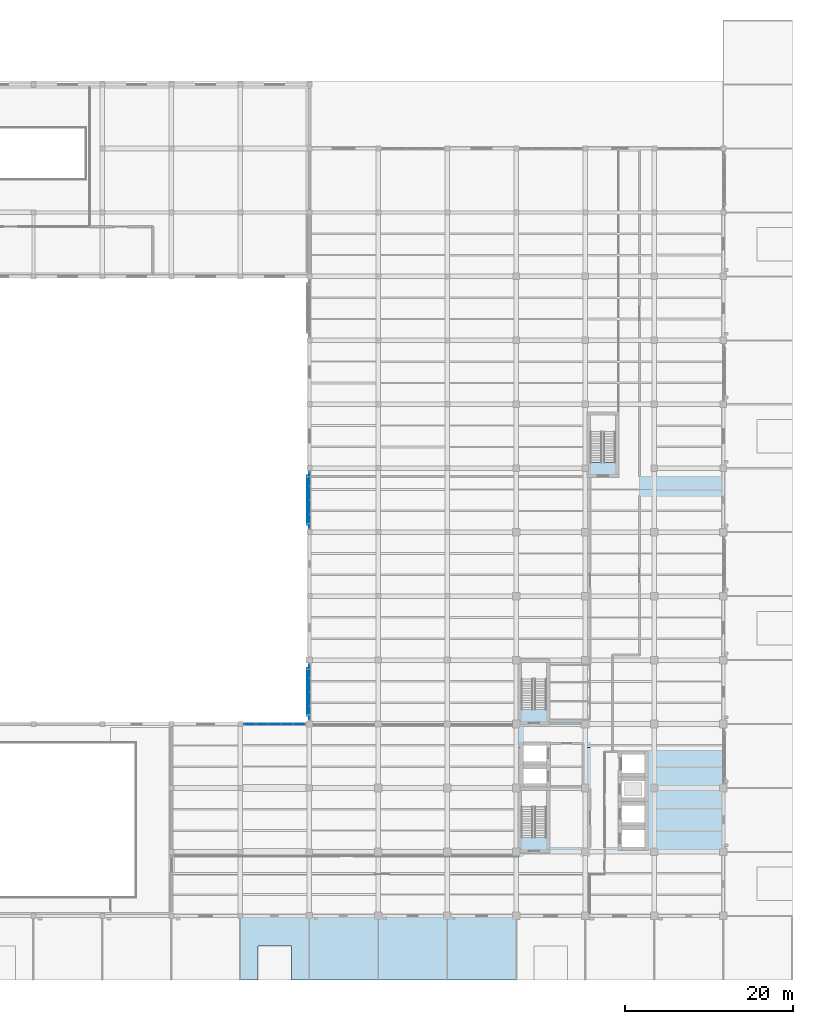
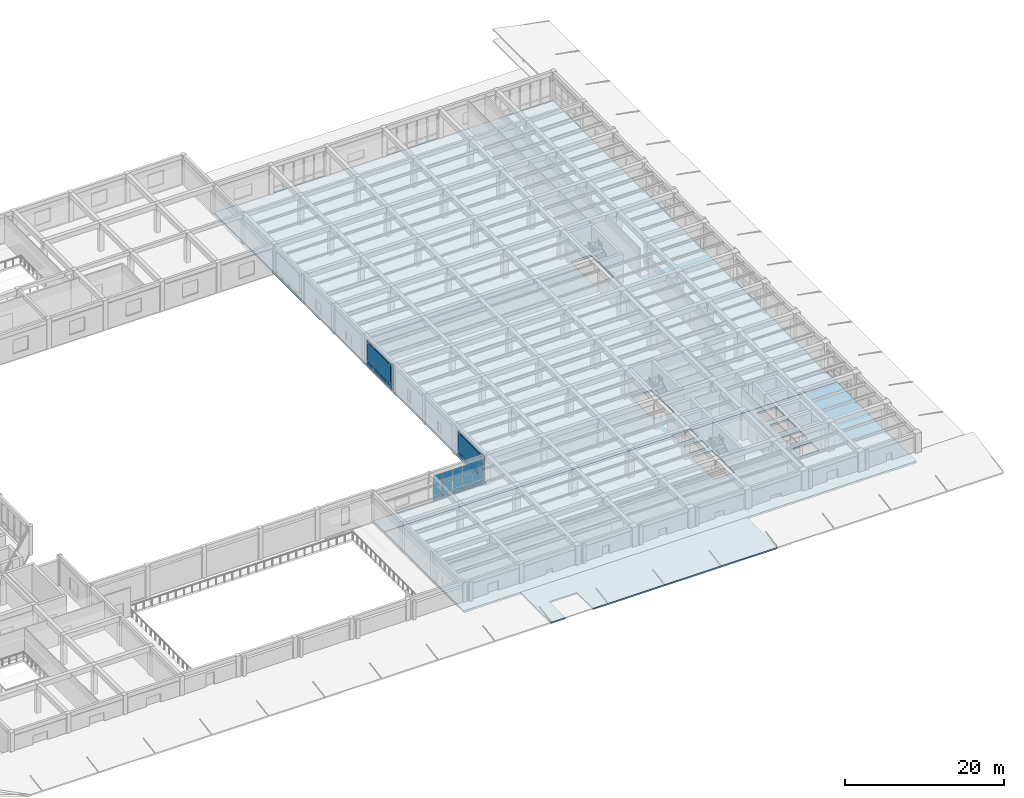
# One storey, part 30 of 57: 28 plates, 3 slabs, 3 elements without a shape of their own.
"""IFC4 building model written with IfcOpenShell, lengths in metres."""

from ifc_helpers import new_model, si_unit, direction, frame, origin, origin_2d, place, context, subcontext, project, spatial, polyline, rectangle, outline, extrude, material, layer, layer_set, type_object, element, aggregate, save


model = new_model("IFC4")

# Units and contexts
model_context = context("Model", 3, precision=1e-05, world=origin(), true_north=direction((0.0, 1.0)))
body_context = subcontext(model_context, "Body", "Model", "MODEL_VIEW")
ifc_project = project(units=[si_unit("LENGTHUNIT", "METRE"), si_unit("AREAUNIT", "SQUARE_METRE"), si_unit("VOLUMEUNIT", "CUBIC_METRE"), si_unit("PLANEANGLEUNIT", "RADIAN"), si_unit("MASSUNIT", "GRAM", prefix="KILO")], contexts=[model_context])

# Site, building, storey
site_placement = place(None, origin())
site = spatial("IfcSite", under=ifc_project, at=site_placement, CompositionType="ELEMENT")
building_placement = place(site_placement, origin())
building = spatial("IfcBuilding", under=site, at=building_placement, Name="Qandaris Square Conservatory and Botanical Centre", CompositionType="ELEMENT")
storey_placement = place(building_placement, frame((0.0, 0.0, 5.39990234375)))
storey = spatial("IfcBuildingStorey", under=building, at=storey_placement, Name="L01", CompositionType="ELEMENT", Elevation=5.39990234375)

# Curtain wall, plates
ifc_material_1 = material(Name="Anodised Aluminium", Category="aluminium")
curtain_wall_type_1 = type_object("IfcCurtainWallType", Name="Unitised Curtain Wall CW-4-680x392", PredefinedType="USERDEFINED", material=ifc_material_1)
curtain_wall_1_placement = place(storey_placement, origin())
curtain_wall_1 = element("IfcCurtainWall", 1, at=curtain_wall_1_placement, inside=storey, type_object=curtain_wall_type_1, Name="Curtain Wall CW-TWR-L01-4-6", ObjectType="GLAZED CURTAIN WALL", PredefinedType="USERDEFINED")
ifc_material_2 = material(Name="Tempered Low-E Glass", Category="glass")
ifc_layer_1 = layer(ifc_material_2, 0.035888671875)
ifc_layer_set_1 = layer_set([ifc_layer_1], Name="Tempered Low-E Glass")
plate_type_1 = type_object("IfcPlateType", Name="Double-Glazed Solar Control Vision Unit 36mm", PredefinedType="CURTAIN_PANEL", material=ifc_layer_set_1)
plate_1_placement = place(storey_placement, frame((114.60009765625, 68.53369140625, 0.065185546875), z_axis=(0.0, 0.0, 1.0), x_axis=(0.0, -1.0, 0.0)))
plate_1 = element("IfcPlate", 2, at=plate_1_placement, type_object=plate_type_1, Name="CW-4-680x392 panel 1.1", PredefinedType="CURTAIN_PANEL", context=body_context, shape_type="SweptSolid", body=[
    extrude(rectangle(XDim=1.6025390625, YDim=0.035888671875, at=origin_2d()), origin(), (0.0, 0.0, 1.0), 0.75244140625),
])
plate_2_placement = place(storey_placement, frame((114.60009765625, 68.53369140625, 0.8828125), z_axis=(0.0, 0.0, 1.0), x_axis=(0.0, -1.0, 0.0)))
plate_2 = element("IfcPlate", 3, at=plate_2_placement, type_object=plate_type_1, Name="CW-4-680x392 panel 1.2", PredefinedType="CURTAIN_PANEL", context=body_context, shape_type="SweptSolid", body=[
    extrude(rectangle(XDim=1.6025390625, YDim=0.035888671875, at=origin_2d()), origin(), (0.0, 0.0, 1.0), 2.972412109375),
])
plate_3_placement = place(storey_placement, frame((114.60009765625, 66.85009765625, 0.065185546875), z_axis=(0.0, 0.0, 1.0), x_axis=(0.0, -1.0, 0.0)))
plate_3 = element("IfcPlate", 4, at=plate_3_placement, type_object=plate_type_1, Name="CW-4-680x392 panel 2.1", PredefinedType="CURTAIN_PANEL", context=body_context, shape_type="SweptSolid", body=[
    extrude(rectangle(XDim=1.635009765625, YDim=0.035888671875, at=origin_2d()), origin(), (0.0, 0.0, 1.0), 0.75244140625),
])
plate_4_placement = place(storey_placement, frame((114.60009765625, 66.85009765625, 0.8828125), z_axis=(0.0, 0.0, 1.0), x_axis=(0.0, -1.0, 0.0)))
plate_4 = element("IfcPlate", 5, at=plate_4_placement, type_object=plate_type_1, Name="CW-4-680x392 panel 2.2", PredefinedType="CURTAIN_PANEL", context=body_context, shape_type="SweptSolid", body=[
    extrude(rectangle(XDim=1.635009765625, YDim=0.035888671875, at=origin_2d()), origin(), (0.0, 0.0, 1.0), 2.972412109375),
])
plate_5_placement = place(storey_placement, frame((114.60009765625, 65.14990234375, 0.065185546875), z_axis=(0.0, 0.0, 1.0), x_axis=(0.0, -1.0, 0.0)))
plate_5 = element("IfcPlate", 6, at=plate_5_placement, type_object=plate_type_1, Name="CW-4-680x392 panel 3.1", PredefinedType="CURTAIN_PANEL", context=body_context, shape_type="SweptSolid", body=[
    extrude(rectangle(XDim=1.635009765625, YDim=0.035888671875, at=origin_2d()), origin(), (0.0, 0.0, 1.0), 0.75244140625),
])
plate_6_placement = place(storey_placement, frame((114.60009765625, 65.14990234375, 0.8828125), z_axis=(0.0, 0.0, 1.0), x_axis=(0.0, -1.0, 0.0)))
plate_6 = element("IfcPlate", 7, at=plate_6_placement, type_object=plate_type_1, Name="CW-4-680x392 panel 3.2", PredefinedType="CURTAIN_PANEL", context=body_context, shape_type="SweptSolid", body=[
    extrude(rectangle(XDim=1.635009765625, YDim=0.035888671875, at=origin_2d()), origin(), (0.0, 0.0, 1.0), 2.972412109375),
])
plate_7_placement = place(storey_placement, frame((114.60009765625, 63.46630859375, 0.065185546875), z_axis=(0.0, 0.0, 1.0), x_axis=(0.0, -1.0, 0.0)))
plate_7 = element("IfcPlate", 8, at=plate_7_placement, type_object=plate_type_1, Name="CW-4-680x392 panel 4.1", PredefinedType="CURTAIN_PANEL", context=body_context, shape_type="SweptSolid", body=[
    extrude(rectangle(XDim=1.6025390625, YDim=0.035888671875, at=origin_2d()), origin(), (0.0, 0.0, 1.0), 0.75244140625),
])
plate_8_placement = place(storey_placement, frame((114.60009765625, 63.46630859375, 0.8828125), z_axis=(0.0, 0.0, 1.0), x_axis=(0.0, -1.0, 0.0)))
plate_8 = element("IfcPlate", 9, at=plate_8_placement, type_object=plate_type_1, Name="CW-4-680x392 panel 4.2", PredefinedType="CURTAIN_PANEL", context=body_context, shape_type="SweptSolid", body=[
    extrude(rectangle(XDim=1.6025390625, YDim=0.035888671875, at=origin_2d()), origin(), (0.0, 0.0, 1.0), 2.972412109375),
])
aggregate(curtain_wall_1, [plate_1, plate_2, plate_3, plate_4, plate_5, plate_6, plate_7, plate_8])

curtain_wall_type_2 = type_object("IfcCurtainWallType", Name="Unitised Curtain Wall CW-4-665x392", PredefinedType="USERDEFINED", material=ifc_material_1)
curtain_wall_2_placement = place(storey_placement, origin())
curtain_wall_2 = element("IfcCurtainWall", 10, at=curtain_wall_2_placement, inside=storey, type_object=curtain_wall_type_2, Name="Curtain Wall CW-TWR-L01-4-9", ObjectType="GLAZED CURTAIN WALL", PredefinedType="USERDEFINED")
plate_9_placement = place(storey_placement, frame((114.60009765625, 45.677490234375, 0.065185546875), z_axis=(0.0, 0.0, 1.0), x_axis=(0.0, -1.0, 0.0)))
plate_9 = element("IfcPlate", 11, at=plate_9_placement, type_object=plate_type_1, Name="CW-4-665x392 panel 1.1", PredefinedType="CURTAIN_PANEL", context=body_context, shape_type="SweptSolid", body=[
    extrude(rectangle(XDim=1.56494140625, YDim=0.035888671875, at=origin_2d()), origin(), (0.0, 0.0, 1.0), 0.75244140625),
])
plate_10_placement = place(storey_placement, frame((114.60009765625, 45.677490234375, 0.8828125), z_axis=(0.0, 0.0, 1.0), x_axis=(0.0, -1.0, 0.0)))
plate_10 = element("IfcPlate", 12, at=plate_10_placement, type_object=plate_type_1, Name="CW-4-665x392 panel 1.2", PredefinedType="CURTAIN_PANEL", context=body_context, shape_type="SweptSolid", body=[
    extrude(rectangle(XDim=1.56494140625, YDim=0.035888671875, at=origin_2d()), origin(), (0.0, 0.0, 1.0), 2.972412109375),
])
plate_11_placement = place(storey_placement, frame((114.60009765625, 44.03125, 0.065185546875), z_axis=(0.0, 0.0, 1.0), x_axis=(0.0, -1.0, 0.0)))
plate_11 = element("IfcPlate", 13, at=plate_11_placement, type_object=plate_type_1, Name="CW-4-665x392 panel 2.1", PredefinedType="CURTAIN_PANEL", context=body_context, shape_type="SweptSolid", body=[
    extrude(rectangle(XDim=1.597412109375, YDim=0.035888671875, at=origin_2d()), origin(), (0.0, 0.0, 1.0), 0.75244140625),
])
plate_12_placement = place(storey_placement, frame((114.60009765625, 44.03125, 0.8828125), z_axis=(0.0, 0.0, 1.0), x_axis=(0.0, -1.0, 0.0)))
plate_12 = element("IfcPlate", 14, at=plate_12_placement, type_object=plate_type_1, Name="CW-4-665x392 panel 2.2", PredefinedType="CURTAIN_PANEL", context=body_context, shape_type="SweptSolid", body=[
    extrude(rectangle(XDim=1.597412109375, YDim=0.035888671875, at=origin_2d()), origin(), (0.0, 0.0, 1.0), 2.972412109375),
])
plate_13_placement = place(storey_placement, frame((114.60009765625, 42.36865234375, 0.065185546875), z_axis=(0.0, 0.0, 1.0), x_axis=(0.0, -1.0, 0.0)))
plate_13 = element("IfcPlate", 15, at=plate_13_placement, type_object=plate_type_1, Name="CW-4-665x392 panel 3.1", PredefinedType="CURTAIN_PANEL", context=body_context, shape_type="SweptSolid", body=[
    extrude(rectangle(XDim=1.597412109375, YDim=0.035888671875, at=origin_2d()), origin(), (0.0, 0.0, 1.0), 0.75244140625),
])
plate_14_placement = place(storey_placement, frame((114.60009765625, 42.36865234375, 0.8828125), z_axis=(0.0, 0.0, 1.0), x_axis=(0.0, -1.0, 0.0)))
plate_14 = element("IfcPlate", 16, at=plate_14_placement, type_object=plate_type_1, Name="CW-4-665x392 panel 3.2", PredefinedType="CURTAIN_PANEL", context=body_context, shape_type="SweptSolid", body=[
    extrude(rectangle(XDim=1.597412109375, YDim=0.035888671875, at=origin_2d()), origin(), (0.0, 0.0, 1.0), 2.972412109375),
])
plate_15_placement = place(storey_placement, frame((114.60009765625, 40.722412109375, 0.065185546875), z_axis=(0.0, 0.0, 1.0), x_axis=(0.0, -1.0, 0.0)))
plate_15 = element("IfcPlate", 17, at=plate_15_placement, type_object=plate_type_1, Name="CW-4-665x392 panel 4.1", PredefinedType="CURTAIN_PANEL", context=body_context, shape_type="SweptSolid", body=[
    extrude(rectangle(XDim=1.56494140625, YDim=0.035888671875, at=origin_2d()), origin(), (0.0, 0.0, 1.0), 0.75244140625),
])
plate_16_placement = place(storey_placement, frame((114.60009765625, 40.722412109375, 0.8828125), z_axis=(0.0, 0.0, 1.0), x_axis=(0.0, -1.0, 0.0)))
plate_16 = element("IfcPlate", 18, at=plate_16_placement, type_object=plate_type_1, Name="CW-4-665x392 panel 4.2", PredefinedType="CURTAIN_PANEL", context=body_context, shape_type="SweptSolid", body=[
    extrude(rectangle(XDim=1.56494140625, YDim=0.035888671875, at=origin_2d()), origin(), (0.0, 0.0, 1.0), 2.972412109375),
])
aggregate(curtain_wall_2, [plate_9, plate_10, plate_11, plate_12, plate_13, plate_14, plate_15, plate_16])

curtain_wall_type_3 = type_object("IfcCurtainWallType", Name="Unitised Curtain Wall CW-4-733x392", PredefinedType="USERDEFINED", material=ifc_material_1)
curtain_wall_3_placement = place(storey_placement, origin())
curtain_wall_3 = element("IfcCurtainWall", 19, at=curtain_wall_3_placement, inside=storey, type_object=curtain_wall_type_3, Name="Curtain Wall CW-TWR-L01-5-1", ObjectType="GLAZED CURTAIN WALL", PredefinedType="USERDEFINED")
plate_17_placement = place(storey_placement, frame((113.376220703125, 39.39990234375, 0.065185546875), z_axis=(0.0, 0.0, 1.0), x_axis=(-1.0, 0.0, 0.0)))
plate_17 = element("IfcPlate", 20, at=plate_17_placement, type_object=plate_type_1, Name="CW-4-733x392 panel 1.1", PredefinedType="CURTAIN_PANEL", context=body_context, shape_type="SweptSolid", body=[
    extrude(rectangle(XDim=1.367431640625, YDim=0.035888671875, at=origin_2d()), origin(), (0.0, 0.0, 1.0), 0.75244140625),
])
plate_18_placement = place(storey_placement, frame((113.376220703125, 39.39990234375, 0.8828125), z_axis=(0.0, 0.0, 1.0), x_axis=(-1.0, 0.0, 0.0)))
plate_18 = element("IfcPlate", 21, at=plate_18_placement, type_object=plate_type_1, Name="CW-4-733x392 panel 1.2", PredefinedType="CURTAIN_PANEL", context=body_context, shape_type="SweptSolid", body=[
    extrude(rectangle(XDim=1.367431640625, YDim=0.035888671875, at=origin_2d()), origin(), (0.0, 0.0, 1.0), 2.972412109375),
])
plate_19_placement = place(storey_placement, frame((111.927490234375, 39.39990234375, 0.065185546875), z_axis=(0.0, 0.0, 1.0), x_axis=(-1.0, 0.0, 0.0)))
plate_19 = element("IfcPlate", 22, at=plate_19_placement, type_object=plate_type_1, Name="CW-4-733x392 panel 2.1", PredefinedType="CURTAIN_PANEL", context=body_context, shape_type="SweptSolid", body=[
    extrude(rectangle(XDim=1.39990234375, YDim=0.035888671875, at=origin_2d()), origin(), (0.0, 0.0, 1.0), 0.75244140625),
])
plate_20_placement = place(storey_placement, frame((111.927490234375, 39.39990234375, 0.8828125), z_axis=(0.0, 0.0, 1.0), x_axis=(-1.0, 0.0, 0.0)))
plate_20 = element("IfcPlate", 23, at=plate_20_placement, type_object=plate_type_1, Name="CW-4-733x392 panel 2.2", PredefinedType="CURTAIN_PANEL", context=body_context, shape_type="SweptSolid", body=[
    extrude(rectangle(XDim=1.39990234375, YDim=0.035888671875, at=origin_2d()), origin(), (0.0, 0.0, 1.0), 2.972412109375),
])
plate_21_placement = place(storey_placement, frame((110.46240234375, 39.39990234375, 0.065185546875), z_axis=(0.0, 0.0, 1.0), x_axis=(-1.0, 0.0, 0.0)))
plate_21 = element("IfcPlate", 24, at=plate_21_placement, type_object=plate_type_1, Name="CW-4-733x392 panel 3.1", PredefinedType="CURTAIN_PANEL", context=body_context, shape_type="SweptSolid", body=[
    extrude(rectangle(XDim=1.39990234375, YDim=0.035888671875, at=origin_2d()), origin(), (0.0, 0.0, 1.0), 0.75244140625),
])
plate_22_placement = place(storey_placement, frame((110.46240234375, 39.39990234375, 0.8828125), z_axis=(0.0, 0.0, 1.0), x_axis=(-1.0, 0.0, 0.0)))
plate_22 = element("IfcPlate", 25, at=plate_22_placement, type_object=plate_type_1, Name="CW-4-733x392 panel 3.2", PredefinedType="CURTAIN_PANEL", context=body_context, shape_type="SweptSolid", body=[
    extrude(rectangle(XDim=1.39990234375, YDim=0.035888671875, at=origin_2d()), origin(), (0.0, 0.0, 1.0), 2.972412109375),
])
plate_23_placement = place(storey_placement, frame((108.99755859375, 39.39990234375, 0.065185546875), z_axis=(0.0, 0.0, 1.0), x_axis=(-1.0, 0.0, 0.0)))
plate_23 = element("IfcPlate", 26, at=plate_23_placement, type_object=plate_type_1, Name="CW-4-733x392 panel 4.1", PredefinedType="CURTAIN_PANEL", context=body_context, shape_type="SweptSolid", body=[
    extrude(rectangle(XDim=1.39990234375, YDim=0.035888671875, at=origin_2d()), origin(), (0.0, 0.0, 1.0), 0.75244140625),
])
plate_24_placement = place(storey_placement, frame((108.99755859375, 39.39990234375, 0.8828125), z_axis=(0.0, 0.0, 1.0), x_axis=(-1.0, 0.0, 0.0)))
plate_24 = element("IfcPlate", 27, at=plate_24_placement, type_object=plate_type_1, Name="CW-4-733x392 panel 4.2", PredefinedType="CURTAIN_PANEL", context=body_context, shape_type="SweptSolid", body=[
    extrude(rectangle(XDim=1.39990234375, YDim=0.035888671875, at=origin_2d()), origin(), (0.0, 0.0, 1.0), 2.972412109375),
])
plate_25_placement = place(storey_placement, frame((107.548828125, 39.39990234375, 0.065185546875), z_axis=(0.0, 0.0, 1.0), x_axis=(-1.0, 0.0, 0.0)))
plate_25 = element("IfcPlate", 28, at=plate_25_placement, type_object=plate_type_1, Name="CW-4-733x392 panel 5.1", PredefinedType="CURTAIN_PANEL", context=body_context, shape_type="SweptSolid", body=[
    extrude(rectangle(XDim=1.367431640625, YDim=0.035888671875, at=origin_2d()), origin(), (0.0, 0.0, 1.0), 0.75244140625),
])
plate_26_placement = place(storey_placement, frame((107.548828125, 39.39990234375, 0.8828125), z_axis=(0.0, 0.0, 1.0), x_axis=(-1.0, 0.0, 0.0)))
plate_26 = element("IfcPlate", 29, at=plate_26_placement, type_object=plate_type_1, Name="CW-4-733x392 panel 5.2", PredefinedType="CURTAIN_PANEL", context=body_context, shape_type="SweptSolid", body=[
    extrude(rectangle(XDim=1.367431640625, YDim=0.035888671875, at=origin_2d()), origin(), (0.0, 0.0, 1.0), 2.972412109375),
])
aggregate(curtain_wall_3, [plate_17, plate_18, plate_19, plate_20, plate_21, plate_22, plate_23, plate_24, plate_25, plate_26])

# Plates
ifc_material_3 = material(Name="Weathering Bronze Alloy", Category="metal")
ifc_layer_2 = layer(ifc_material_3, 0.044921875)
ifc_layer_set_2 = layer_set([ifc_layer_2], Name="Weathering Bronze Alloy")
plate_type_2 = type_object("IfcPlateType", Name="Perforated Bronze Mashrabiya Solar Screen Panel", PredefinedType="USERDEFINED", material=ifc_layer_set_2)
plate_27_placement = place(storey_placement, frame((114.3798828125, 66.0, 0.8798828125), z_axis=(0.0, 0.0, 1.0), x_axis=(0.0, -1.0, 0.0)))
element("IfcPlate", 30, at=plate_27_placement, inside=storey, type_object=plate_type_2, Name="Mashrabiya Solar Screen CW-TWR-L01-4-6", ObjectType="SOLAR SCREEN", PredefinedType="USERDEFINED", context=body_context, shape_type="SweptSolid", body=[
    extrude(rectangle(XDim=5.840087890625, YDim=0.044921875, at=origin_2d()), origin(), (0.0, 0.0, 1.0), 2.949951171875),
])
plate_28_placement = place(storey_placement, frame((114.3798828125, 43.199951171875, 0.8798828125), z_axis=(0.0, 0.0, 1.0), x_axis=(0.0, -1.0, 0.0)))
element("IfcPlate", 31, at=plate_28_placement, inside=storey, type_object=plate_type_2, Name="Mashrabiya Solar Screen CW-TWR-L01-4-9", ObjectType="SOLAR SCREEN", PredefinedType="USERDEFINED", context=body_context, shape_type="SweptSolid", body=[
    extrude(rectangle(XDim=5.68994140625, YDim=0.044921875, at=origin_2d()), origin(), (0.0, 0.0, 1.0), 2.949951171875),
])

# Slabs
ifc_material_4 = material(Name="Concrete C40/50", Category="concrete")
ifc_layer_3 = layer(ifc_material_4, 0.22509765625)
ifc_layer_set_3 = layer_set([ifc_layer_3], Name="Concrete C40/50")
slab_type_1 = type_object("IfcSlabType", Name="RC Flat Roof Slab 225mm", PredefinedType="ROOF", material=ifc_layer_set_3)
slab_1_placement = place(storey_placement, frame((0.0, 0.0, -0.224853515625)))
element("IfcSlab", 32, at=slab_1_placement, inside=storey, type_object=slab_type_1, Name="Square Colonnade Structural Canopy Deck COLS-4", PredefinedType="ROOF", context=body_context, shape_type="SweptSolid", body=[
    extrude(outline(polyline([(106.39990234375, 9.0), (106.39990234375, 16.60009765625), (139.199951171875, 16.60009765625), (139.199951171875, 9.0), (112.5, 9.0), (112.5, 13.0), (108.5, 13.0), (108.5, 9.0), (106.39990234375, 9.0)])), origin(), (0.0, 0.0, 1.0), 0.224853515625),
])
ifc_layer_4 = layer(ifc_material_4, 0.300048828125)
ifc_layer_set_4 = layer_set([ifc_layer_4], Name="Concrete C40/50")
slab_type_2 = type_object("IfcSlabType", Name="RC Structural Slab 300mm", PredefinedType="FLOOR", material=ifc_layer_set_4)
slab_2_placement = place(storey_placement, frame((0.0, 0.0, -0.2998046875)))
element("IfcSlab", 33, at=slab_2_placement, inside=storey, type_object=slab_type_2, Name="L01 Structural Slab V4L01", PredefinedType="FLOOR", context=body_context, shape_type="SweptSolid", body=[
    extrude(outline(polyline([(163.800048828125, 16.60009765625), (98.199951171875, 16.60009765625), (98.199951171875, 36.60009765625), (140.06005859375, 36.60009765625), (140.06005859375, 34.9599609375), (142.800048828125, 34.9599609375), (142.800048828125, 36.60009765625), (163.800048828125, 36.60009765625), (163.800048828125, 16.60009765625)]), holes=[polyline([(139.800048828125, 25.89990234375), (142.800048828125, 25.89990234375), (142.800048828125, 31.5), (139.800048828125, 31.5), (139.800048828125, 25.89990234375)]), polyline([(140.06005859375, 34.0400390625), (140.06005859375, 32.360107421875), (142.800048828125, 32.360107421875), (142.800048828125, 34.0400390625), (140.06005859375, 34.0400390625)]), polyline([(151.75, 26.800048828125), (151.75, 24.800048828125), (154.449951171875, 24.800048828125), (154.449951171875, 26.800048828125), (151.75, 26.800048828125)]), polyline([(151.75, 29.719970703125), (151.75, 27.719970703125), (154.449951171875, 27.719970703125), (154.449951171875, 29.719970703125), (151.75, 29.719970703125)]), polyline([(151.75, 32.639892578125), (151.75, 30.639892578125), (154.449951171875, 30.639892578125), (154.449951171875, 32.639892578125), (151.75, 32.639892578125)]), polyline([(151.75, 35.760009765625), (151.75, 33.56005859375), (154.449951171875, 33.56005859375), (154.449951171875, 35.760009765625), (151.75, 35.760009765625)])]), origin(), (0.0, 0.0, 1.0), 0.2998046875),
])
slab_3_placement = place(storey_placement, frame((0.0, 0.0, -0.2998046875)))
element("IfcSlab", 34, at=slab_3_placement, inside=storey, type_object=slab_type_2, Name="L01 Structural Slab V4L01", PredefinedType="FLOOR", context=body_context, shape_type="SweptSolid", body=[
    extrude(outline(polyline([(114.60009765625, 39.39990234375), (114.60009765625, 107.800048828125), (163.800048828125, 107.800048828125), (163.800048828125, 36.60009765625), (142.800048828125, 36.60009765625), (142.800048828125, 36.840087890625), (140.06005859375, 36.840087890625), (140.06005859375, 36.60009765625), (98.199951171875, 36.60009765625), (98.199951171875, 39.39990234375), (114.60009765625, 39.39990234375)]), holes=[polyline([(139.800048828125, 41.10009765625), (142.800048828125, 41.10009765625), (142.800048828125, 46.699951171875), (139.800048828125, 46.699951171875), (139.800048828125, 41.10009765625)]), polyline([(148.0, 76.10009765625), (148.0, 70.5), (151.0, 70.5), (151.0, 76.10009765625), (148.0, 76.10009765625)])]), origin(), (0.0, 0.0, 1.0), 0.2998046875),
])

save(model, "model.ifc")
